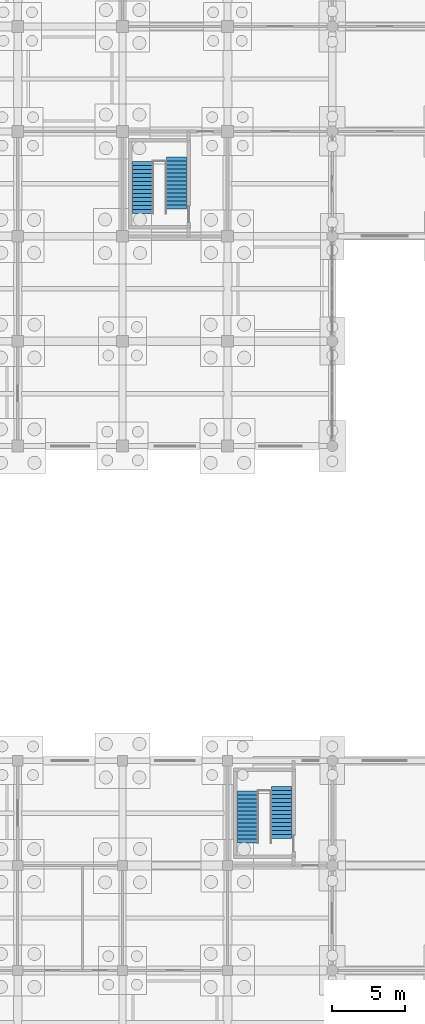
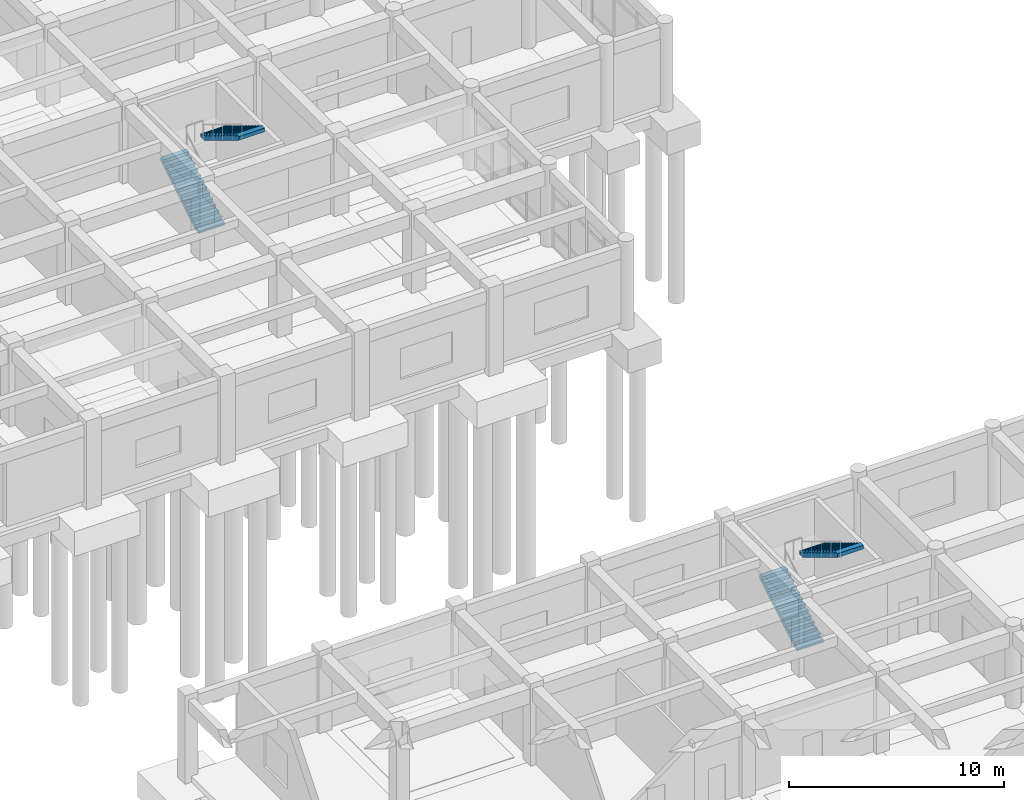
# One storey, part 70 of 79: 4 stair flights, 2 elements without a shape of their own.
"""IFC4 building model written with IfcOpenShell, lengths in metres."""

from ifc_helpers import new_model, si_unit, direction, frame, origin, place, context, subcontext, project, spatial, polyline, outline, extrude, material, type_object, element, aggregate, save


model = new_model("IFC4")

# Units and contexts
model_context = context("Model", 3, precision=1e-05, world=origin(), true_north=direction((0.0, 1.0)))
body_context = subcontext(model_context, "Body", "Model", "MODEL_VIEW")
ifc_project = project(units=[si_unit("LENGTHUNIT", "METRE"), si_unit("AREAUNIT", "SQUARE_METRE"), si_unit("VOLUMEUNIT", "CUBIC_METRE"), si_unit("PLANEANGLEUNIT", "RADIAN"), si_unit("MASSUNIT", "GRAM", prefix="KILO")], contexts=[model_context])

# Site, building, storey
site_placement = place(None, origin())
site = spatial("IfcSite", under=ifc_project, at=site_placement, CompositionType="ELEMENT")
building_placement = place(site_placement, origin())
building = spatial("IfcBuilding", under=site, at=building_placement, Name="Kavelor Marine Aquarium", CompositionType="ELEMENT")
storey_placement = place(building_placement, origin())
storey = spatial("IfcBuildingStorey", under=building, at=storey_placement, Name="L00", CompositionType="ELEMENT", Elevation=0.0)

# Stair, stair flights
ifc_material_1 = material(Name="Concrete C40/50", Category="concrete")
stair_type = type_object("IfcStairType", Name="ST-T1", PredefinedType="HALF_TURN_STAIR", material=ifc_material_1)
stair_1_placement = place(storey_placement, origin())
stair_1 = element("IfcStair", 1, at=stair_1_placement, inside=storey, type_object=stair_type, Name="Exit Stair ST09 (L00)", PredefinedType="HALF_TURN_STAIR")
ifc_material_2 = material(Name="Concrete C40/50", Category="concrete")
stair_flight_type = type_object("IfcStairFlightType", Name="FLT-T1", PredefinedType="STRAIGHT", material=ifc_material_2)
stair_flight_1_placement = place(storey_placement, frame((148.580078125, 25.9599609375, 0.0), z_axis=(0.0, 0.0, 1.0), x_axis=(0.0, 1.0, 0.0)))
stair_flight_1 = element("IfcStairFlight", 2, at=stair_flight_1_placement, type_object=stair_flight_type, Name="ST09 flight 1", NumberOfRisers=14, NumberOfTreads=13, PredefinedType="STRAIGHT", RiserHeight=0.167143, TreadLength=0.275, context=body_context, shape_type="SweptSolid", body=[
    extrude(outline(polyline([(0.0, 0.0), (0.0, 0.167236328125), (0.27490234375, 0.167236328125), (0.27490234375, 0.334228515625), (0.550048828125, 0.334228515625), (0.550048828125, 0.50146484375), (0.824951171875, 0.50146484375), (0.824951171875, 0.66845703125), (1.10009765625, 0.66845703125), (1.10009765625, 0.835693359375), (1.375, 0.835693359375), (1.375, 1.0029296875), (1.64990234375, 1.0029296875), (1.64990234375, 1.169921875), (1.925048828125, 1.169921875), (1.925048828125, 1.337158203125), (2.199951171875, 1.337158203125), (2.199951171875, 1.50439453125), (2.47509765625, 1.50439453125), (2.47509765625, 1.67138671875), (2.75, 1.67138671875), (2.75, 1.838623046875), (3.02490234375, 1.838623046875), (3.02490234375, 2.005615234375), (3.300048828125, 2.005615234375), (3.300048828125, 2.1728515625), (3.574951171875, 2.1728515625), (3.574951171875, 2.340087890625), (3.574951171875, 1.96240234375), (0.346435546875, 0.0), (0.0, 0.0)])), frame((0.0, 0.68994140625, 0.0), z_axis=(0.0, -1.0, 0.0), x_axis=(1.0, 0.0, 0.0)), (0.0, 0.0, 1.0), 1.3798828125),
])
stair_flight_2_placement = place(storey_placement, frame((150.89990234375, 29.8349609375, 2.340087890625), z_axis=(0.0, 0.0, 1.0), x_axis=(0.0, -1.0, 0.0)))
stair_flight_2 = element("IfcStairFlight", 3, at=stair_flight_2_placement, type_object=stair_flight_type, Name="ST09 flight 2", NumberOfRisers=14, NumberOfTreads=13, PredefinedType="STRAIGHT", RiserHeight=0.167143, TreadLength=0.275, context=body_context, shape_type="SweptSolid", body=[
    extrude(outline(polyline([(0.0, 0.0), (0.0, 0.167236328125), (0.27490234375, 0.167236328125), (0.27490234375, 0.334228515625), (0.550048828125, 0.334228515625), (0.550048828125, 0.50146484375), (0.824951171875, 0.50146484375), (0.824951171875, 0.66845703125), (1.10009765625, 0.66845703125), (1.10009765625, 0.835693359375), (1.375, 0.835693359375), (1.375, 1.0029296875), (1.64990234375, 1.0029296875), (1.64990234375, 1.169921875), (1.925048828125, 1.169921875), (1.925048828125, 1.337158203125), (2.199951171875, 1.337158203125), (2.199951171875, 1.50439453125), (2.47509765625, 1.50439453125), (2.47509765625, 1.67138671875), (2.75, 1.67138671875), (2.75, 1.838623046875), (3.02490234375, 1.838623046875), (3.02490234375, 2.005615234375), (3.300048828125, 2.005615234375), (3.300048828125, 2.1728515625), (3.574951171875, 2.1728515625), (3.574951171875, 2.340087890625), (3.574951171875, 1.96240234375), (0.346435546875, 0.0), (0.0, 0.0)])), frame((0.0, 0.68994140625, 0.0), z_axis=(0.0, -1.0, 0.0), x_axis=(1.0, 0.0, 0.0)), (0.0, 0.0, 1.0), 1.3798828125),
])
aggregate(stair_1, [stair_flight_1, stair_flight_2])

stair_2_placement = place(storey_placement, origin())
stair_2 = element("IfcStair", 4, at=stair_2_placement, inside=storey, type_object=stair_type, Name="Exit Stair ST11 (L00)", PredefinedType="HALF_TURN_STAIR")
stair_flight_3_placement = place(storey_placement, frame((141.3798828125, 69.159912109375, 0.0), z_axis=(0.0, 0.0, 1.0), x_axis=(0.0, 1.0, 0.0)))
stair_flight_3 = element("IfcStairFlight", 5, at=stair_flight_3_placement, type_object=stair_flight_type, Name="ST11 flight 1", NumberOfRisers=14, NumberOfTreads=13, PredefinedType="STRAIGHT", RiserHeight=0.167143, TreadLength=0.275, context=body_context, shape_type="SweptSolid", body=[
    extrude(outline(polyline([(0.0, 0.0), (0.0, 0.167236328125), (0.27490234375, 0.167236328125), (0.27490234375, 0.334228515625), (0.550048828125, 0.334228515625), (0.550048828125, 0.50146484375), (0.824951171875, 0.50146484375), (0.824951171875, 0.66845703125), (1.10009765625, 0.66845703125), (1.10009765625, 0.835693359375), (1.375, 0.835693359375), (1.375, 1.0029296875), (1.64990234375, 1.0029296875), (1.64990234375, 1.169921875), (1.925048828125, 1.169921875), (1.925048828125, 1.337158203125), (2.199951171875, 1.337158203125), (2.199951171875, 1.50439453125), (2.47509765625, 1.50439453125), (2.47509765625, 1.67138671875), (2.75, 1.67138671875), (2.75, 1.838623046875), (3.02490234375, 1.838623046875), (3.02490234375, 2.005615234375), (3.300048828125, 2.005615234375), (3.300048828125, 2.1728515625), (3.574951171875, 2.1728515625), (3.574951171875, 2.340087890625), (3.574951171875, 1.96240234375), (0.346435546875, 0.0), (0.0, 0.0)])), frame((0.0, 0.68994140625, 0.0), z_axis=(0.0, -1.0, 0.0), x_axis=(1.0, 0.0, 0.0)), (0.0, 0.0, 1.0), 1.3798828125),
])
stair_flight_4_placement = place(storey_placement, frame((143.699951171875, 73.034912109375, 2.340087890625), z_axis=(0.0, 0.0, 1.0), x_axis=(0.0, -1.0, 0.0)))
stair_flight_4 = element("IfcStairFlight", 6, at=stair_flight_4_placement, type_object=stair_flight_type, Name="ST11 flight 2", NumberOfRisers=14, NumberOfTreads=13, PredefinedType="STRAIGHT", RiserHeight=0.167143, TreadLength=0.275, context=body_context, shape_type="SweptSolid", body=[
    extrude(outline(polyline([(0.0, 0.0), (0.0, 0.167236328125), (0.27490234375, 0.167236328125), (0.27490234375, 0.334228515625), (0.550048828125, 0.334228515625), (0.550048828125, 0.50146484375), (0.824951171875, 0.50146484375), (0.824951171875, 0.66845703125), (1.10009765625, 0.66845703125), (1.10009765625, 0.835693359375), (1.375, 0.835693359375), (1.375, 1.0029296875), (1.64990234375, 1.0029296875), (1.64990234375, 1.169921875), (1.925048828125, 1.169921875), (1.925048828125, 1.337158203125), (2.199951171875, 1.337158203125), (2.199951171875, 1.50439453125), (2.47509765625, 1.50439453125), (2.47509765625, 1.67138671875), (2.75, 1.67138671875), (2.75, 1.838623046875), (3.02490234375, 1.838623046875), (3.02490234375, 2.005615234375), (3.300048828125, 2.005615234375), (3.300048828125, 2.1728515625), (3.574951171875, 2.1728515625), (3.574951171875, 2.340087890625), (3.574951171875, 1.96240234375), (0.346435546875, 0.0), (0.0, 0.0)])), frame((0.0, 0.68994140625, 0.0), z_axis=(0.0, -1.0, 0.0), x_axis=(1.0, 0.0, 0.0)), (0.0, 0.0, 1.0), 1.3798828125),
])
aggregate(stair_2, [stair_flight_3, stair_flight_4])

save(model, "model.ifc")
